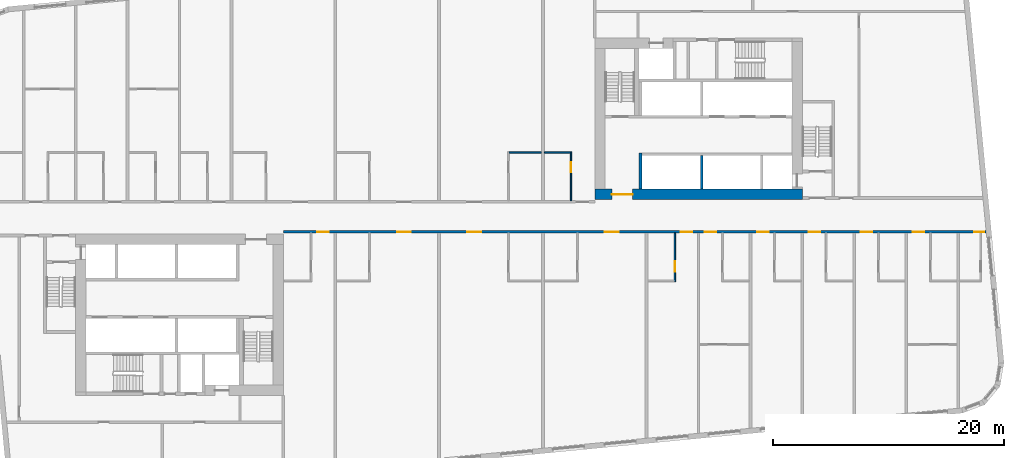
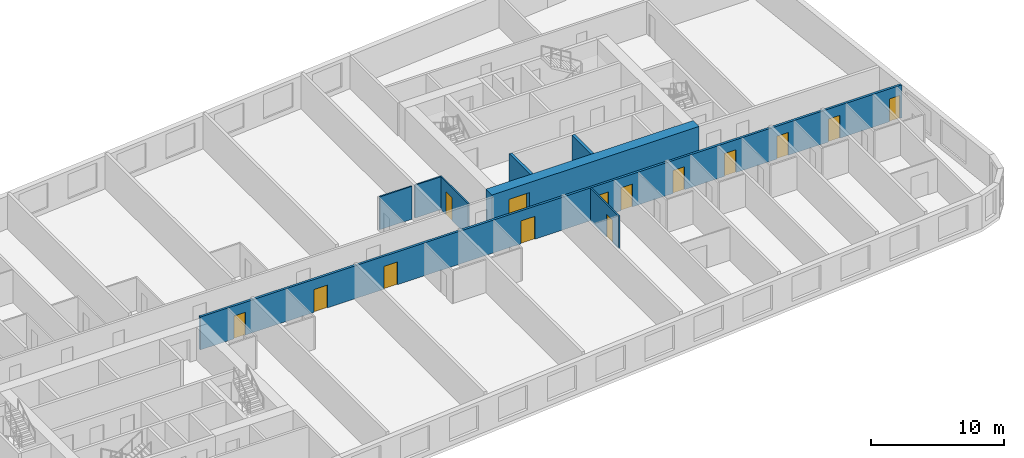
# One storey, part 5 of 12: 14 doors, 8 walls, 14 openings.
"""IFC4 building model written with IfcOpenShell, lengths in metres."""

from ifc_helpers import new_model, si_unit, direction, frame, frame_2d, origin, place, context, subcontext, project, spatial, rectangle, extrude, material, layer, layer_set, type_object, element, fill, save


model = new_model("IFC4")

# Units and contexts
model_context = context("Model", 3, precision=1e-05, world=origin(), true_north=direction((0.0, 1.0)))
body_context = subcontext(model_context, "Body", "Model", "MODEL_VIEW")
ifc_project = project(units=[si_unit("LENGTHUNIT", "METRE"), si_unit("AREAUNIT", "SQUARE_METRE"), si_unit("VOLUMEUNIT", "CUBIC_METRE"), si_unit("PLANEANGLEUNIT", "RADIAN"), si_unit("MASSUNIT", "GRAM", prefix="KILO")], contexts=[model_context])

# Site, building, storey
site_placement = place(None, origin())
site = spatial("IfcSite", under=ifc_project, at=site_placement, CompositionType="ELEMENT")
building_placement = place(site_placement, origin())
building = spatial("IfcBuilding", under=site, at=building_placement, Name="Kajstack Hotel Tower", CompositionType="ELEMENT")
storey_placement = place(building_placement, frame((0.0, 0.0, 124.0)))
storey = spatial("IfcBuildingStorey", under=building, at=storey_placement, Name="L27", CompositionType="ELEMENT", Elevation=124.0)

# Wall, opening, door
ifc_material_1 = material(Name="Concrete C60/75", Category="concrete")
ifc_layer_1 = layer(ifc_material_1, 0.89990234375)
ifc_layer_set_1 = layer_set([ifc_layer_1], Name="Core wall 900")
wall_type_1 = type_object("IfcWallType", Name="Core wall 900", PredefinedType="SHEAR", material=ifc_layer_set_1)
wall_1_placement = place(storey_placement, frame((13.5, 1.949951171875, 0.0), z_axis=(0.0, 0.0, 1.0), x_axis=(1.0, 0.0, 0.0)))
wall_1 = element("IfcWall", 1, at=wall_1_placement, inside=storey, type_object=wall_type_1, Name="Core wall E RN", PredefinedType="SHEAR", context=body_context, shape_type="SweptSolid", body=[
    extrude(rectangle(XDim=18.0, YDim=0.89990234375, at=frame_2d((9.0, 0.0))), origin(), (0.0, 0.0, 1.0), 3.02001953125),
])
opening_1_placement = place(wall_1_placement, frame((1.47509765625, 0.0, 0.0)))
opening_1 = element("IfcOpeningElement", 2, at=opening_1_placement, cuts=wall_1, Name="Opening 27E06", PredefinedType="OPENING", context=body_context, shape_type="SweptSolid", body=[
    extrude(rectangle(XDim=1.800048828125, YDim=2.10009765625, at=frame_2d((0.89990234375, 1.050048828125))), frame((0.0, 0.4599609375, 0.0), z_axis=(0.0, -1.0, 0.0), x_axis=(1.0, 0.0, 0.0)), (0.0, 0.0, 1.0), 0.919921875),
])
ifc_material_2 = material(Name="Glazed steel frame, fire-rated glass", Category="steel")
door_type_1 = type_object("IfcDoorType", Name="Lobby double door 1800", OperationType="DOUBLE_DOOR_DOUBLE_SWING", PredefinedType="DOOR", material=ifc_material_2)
door_1_placement = place(opening_1_placement, origin())
door_1 = element("IfcDoor", 3, at=door_1_placement, inside=storey, type_object=door_type_1, Name="Door 27E06", OperationType="DOUBLE_DOOR_DOUBLE_SWING", OverallHeight=2.10009765625, OverallWidth=1.800048828125, PredefinedType="DOOR", context=body_context, shape_type="SweptSolid", body=[
    extrude(rectangle(XDim=1.800048828125, YDim=2.10009765625, at=frame_2d((0.89990234375, 1.050048828125))), frame((0.0, 0.02490234375, 0.0), z_axis=(0.0, -1.0, 0.0), x_axis=(1.0, 0.0, 0.0)), (0.0, 0.0, 1.0), 0.050048828125),
])
fill(opening_1, door_1)

# Wall, openings, doors
ifc_material_3 = material(Name="Gypsum board on steel studs, mineral wool", Category="steel")
ifc_layer_2 = layer(ifc_material_3, 0.199951171875)
ifc_layer_set_2 = layer_set([ifc_layer_2], Name="Corridor wall 200")
wall_type_2 = type_object("IfcWallType", Name="Corridor wall 200", PredefinedType="PARTITIONING", material=ifc_layer_set_2)
wall_2_placement = place(storey_placement, frame((-13.5, -1.300048828125, 0.0), z_axis=(0.0, 0.0, 1.0), x_axis=(1.0, 0.0, 0.0)))
wall_2 = element("IfcWall", 4, at=wall_2_placement, inside=storey, type_object=wall_type_2, Name="G-wall-L27-026", PredefinedType="PARTITIONING", context=body_context, shape_type="SweptSolid", body=[
    extrude(rectangle(XDim=60.931884765625, YDim=0.199951171875, at=frame_2d((30.4658203125, 0.0))), origin(), (0.0, 0.0, 1.0), 3.02001953125),
])
opening_2_placement = place(wall_2_placement, frame((2.925048828125, 0.0, 0.0)))
opening_2 = element("IfcOpeningElement", 5, at=opening_2_placement, cuts=wall_2, Name="Opening 27021", PredefinedType="OPENING", context=body_context, shape_type="SweptSolid", body=[
    extrude(rectangle(XDim=1.0, YDim=2.10009765625, at=frame_2d((0.5, 1.050048828125))), frame((0.0, 0.10986328125, 0.0), z_axis=(0.0, -1.0, 0.0), x_axis=(1.0, 0.0, 0.0)), (0.0, 0.0, 1.0), 0.219970703125),
])
opening_3_placement = place(wall_2_placement, frame((9.863037109375, 0.0, 0.0)))
opening_3 = element("IfcOpeningElement", 6, at=opening_3_placement, cuts=wall_2, Name="Opening 27023", PredefinedType="OPENING", context=body_context, shape_type="SweptSolid", body=[
    extrude(rectangle(XDim=1.199951171875, YDim=2.10009765625, at=frame_2d((0.60009765625, 1.050048828125))), frame((0.0, 0.10986328125, 0.0), z_axis=(0.0, -1.0, 0.0), x_axis=(1.0, 0.0, 0.0)), (0.0, 0.0, 1.0), 0.219970703125),
])
opening_4_placement = place(wall_2_placement, frame((15.93798828125, 0.0, 0.0)))
opening_4 = element("IfcOpeningElement", 7, at=opening_4_placement, cuts=wall_2, Name="Opening 27025", PredefinedType="OPENING", context=body_context, shape_type="SweptSolid", body=[
    extrude(rectangle(XDim=1.199951171875, YDim=2.10009765625, at=frame_2d((0.60009765625, 1.050048828125))), frame((0.0, 0.10986328125, 0.0), z_axis=(0.0, -1.0, 0.0), x_axis=(1.0, 0.0, 0.0)), (0.0, 0.0, 1.0), 0.219970703125),
])
opening_5_placement = place(wall_2_placement, frame((27.862060546875, 0.0, 0.0)))
opening_5 = element("IfcOpeningElement", 8, at=opening_5_placement, cuts=wall_2, Name="Opening 27027", PredefinedType="OPENING", context=body_context, shape_type="SweptSolid", body=[
    extrude(rectangle(XDim=1.199951171875, YDim=2.10009765625, at=frame_2d((0.60009765625, 1.050048828125))), frame((0.0, 0.10986328125, 0.0), z_axis=(0.0, -1.0, 0.0), x_axis=(1.0, 0.0, 0.0)), (0.0, 0.0, 1.0), 0.219970703125),
])
opening_6_placement = place(wall_2_placement, frame((34.449951171875, 0.0, 0.0)))
opening_6 = element("IfcOpeningElement", 9, at=opening_6_placement, cuts=wall_2, Name="Opening 27029", PredefinedType="OPENING", context=body_context, shape_type="SweptSolid", body=[
    extrude(rectangle(XDim=1.0, YDim=2.10009765625, at=frame_2d((0.5, 1.050048828125))), frame((0.0, 0.10986328125, 0.0), z_axis=(0.0, -1.0, 0.0), x_axis=(1.0, 0.0, 0.0)), (0.0, 0.0, 1.0), 0.219970703125),
])
opening_7_placement = place(wall_2_placement, frame((36.550048828125, 0.0, 0.0)))
opening_7 = element("IfcOpeningElement", 10, at=opening_7_placement, cuts=wall_2, Name="Opening 27031", PredefinedType="OPENING", context=body_context, shape_type="SweptSolid", body=[
    extrude(rectangle(XDim=1.0, YDim=2.10009765625, at=frame_2d((0.5, 1.050048828125))), frame((0.0, 0.10986328125, 0.0), z_axis=(0.0, -1.0, 0.0), x_axis=(1.0, 0.0, 0.0)), (0.0, 0.0, 1.0), 0.219970703125),
])
opening_8_placement = place(wall_2_placement, frame((41.074951171875, 0.0, 0.0)))
opening_8 = element("IfcOpeningElement", 11, at=opening_8_placement, cuts=wall_2, Name="Opening 27034", PredefinedType="OPENING", context=body_context, shape_type="SweptSolid", body=[
    extrude(rectangle(XDim=1.0, YDim=2.10009765625, at=frame_2d((0.5, 1.050048828125))), frame((0.0, 0.10986328125, 0.0), z_axis=(0.0, -1.0, 0.0), x_axis=(1.0, 0.0, 0.0)), (0.0, 0.0, 1.0), 0.219970703125),
])
opening_9_placement = place(wall_2_placement, frame((45.550048828125, 0.0, 0.0)))
opening_9 = element("IfcOpeningElement", 12, at=opening_9_placement, cuts=wall_2, Name="Opening 27036", PredefinedType="OPENING", context=body_context, shape_type="SweptSolid", body=[
    extrude(rectangle(XDim=1.0, YDim=2.10009765625, at=frame_2d((0.5, 1.050048828125))), frame((0.0, 0.10986328125, 0.0), z_axis=(0.0, -1.0, 0.0), x_axis=(1.0, 0.0, 0.0)), (0.0, 0.0, 1.0), 0.219970703125),
])
opening_10_placement = place(wall_2_placement, frame((50.074951171875, 0.0, 0.0)))
opening_10 = element("IfcOpeningElement", 13, at=opening_10_placement, cuts=wall_2, Name="Opening 27038", PredefinedType="OPENING", context=body_context, shape_type="SweptSolid", body=[
    extrude(rectangle(XDim=1.0, YDim=2.10009765625, at=frame_2d((0.5, 1.050048828125))), frame((0.0, 0.10986328125, 0.0), z_axis=(0.0, -1.0, 0.0), x_axis=(1.0, 0.0, 0.0)), (0.0, 0.0, 1.0), 0.219970703125),
])
opening_11_placement = place(wall_2_placement, frame((54.574951171875, 0.0, 0.0)))
opening_11 = element("IfcOpeningElement", 14, at=opening_11_placement, cuts=wall_2, Name="Opening 27040", PredefinedType="OPENING", context=body_context, shape_type="SweptSolid", body=[
    extrude(rectangle(XDim=1.0, YDim=2.10009765625, at=frame_2d((0.5, 1.050048828125))), frame((0.0, 0.10986328125, 0.0), z_axis=(0.0, -1.0, 0.0), x_axis=(1.0, 0.0, 0.0)), (0.0, 0.0, 1.0), 0.219970703125),
])
opening_12_placement = place(wall_2_placement, frame((59.882080078125, 0.0, 0.0)))
opening_12 = element("IfcOpeningElement", 15, at=opening_12_placement, cuts=wall_2, Name="Opening 27043", PredefinedType="OPENING", context=body_context, shape_type="SweptSolid", body=[
    extrude(rectangle(XDim=0.89990234375, YDim=2.10009765625, at=frame_2d((0.449951171875, 1.050048828125))), frame((0.0, 0.10986328125, 0.0), z_axis=(0.0, -1.0, 0.0), x_axis=(1.0, 0.0, 0.0)), (0.0, 0.0, 1.0), 0.219970703125),
])
ifc_material_4 = material(Name="Oak veneer on timber core, fire-rated leaf", Category="wood")
door_type_2 = type_object("IfcDoorType", Name="Flat entrance door 1000", OperationType="SINGLE_SWING_LEFT", PredefinedType="DOOR", material=ifc_material_4)
door_2_placement = place(opening_2_placement, origin())
door_2 = element("IfcDoor", 16, at=door_2_placement, inside=storey, type_object=door_type_2, Name="G-door-L27-21", OperationType="SINGLE_SWING_LEFT", OverallHeight=2.10009765625, OverallWidth=1.0, PredefinedType="DOOR", context=body_context, shape_type="SweptSolid", body=[
    extrude(rectangle(XDim=1.0, YDim=2.10009765625, at=frame_2d((0.5, 1.050048828125))), frame((0.0, 0.02490234375, 0.0), z_axis=(0.0, -1.0, 0.0), x_axis=(1.0, 0.0, 0.0)), (0.0, 0.0, 1.0), 0.050048828125),
])
fill(opening_2, door_2)
door_3_placement = place(opening_6_placement, origin())
door_3 = element("IfcDoor", 17, at=door_3_placement, inside=storey, type_object=door_type_2, Name="G-door-L27-29", OperationType="SINGLE_SWING_LEFT", OverallHeight=2.10009765625, OverallWidth=1.0, PredefinedType="DOOR", context=body_context, shape_type="SweptSolid", body=[
    extrude(rectangle(XDim=1.0, YDim=2.10009765625, at=frame_2d((0.5, 1.050048828125))), frame((0.0, 0.02490234375, 0.0), z_axis=(0.0, -1.0, 0.0), x_axis=(1.0, 0.0, 0.0)), (0.0, 0.0, 1.0), 0.050048828125),
])
fill(opening_6, door_3)
door_4_placement = place(opening_7_placement, origin())
door_4 = element("IfcDoor", 18, at=door_4_placement, inside=storey, type_object=door_type_2, Name="G-door-L27-31", OperationType="SINGLE_SWING_LEFT", OverallHeight=2.10009765625, OverallWidth=1.0, PredefinedType="DOOR", context=body_context, shape_type="SweptSolid", body=[
    extrude(rectangle(XDim=1.0, YDim=2.10009765625, at=frame_2d((0.5, 1.050048828125))), frame((0.0, 0.02490234375, 0.0), z_axis=(0.0, -1.0, 0.0), x_axis=(1.0, 0.0, 0.0)), (0.0, 0.0, 1.0), 0.050048828125),
])
fill(opening_7, door_4)
door_5_placement = place(opening_8_placement, origin())
door_5 = element("IfcDoor", 19, at=door_5_placement, inside=storey, type_object=door_type_2, Name="G-door-L27-34", OperationType="SINGLE_SWING_RIGHT", OverallHeight=2.10009765625, OverallWidth=1.0, PredefinedType="DOOR", context=body_context, shape_type="SweptSolid", body=[
    extrude(rectangle(XDim=1.0, YDim=2.10009765625, at=frame_2d((0.5, 1.050048828125))), frame((0.0, 0.02490234375, 0.0), z_axis=(0.0, -1.0, 0.0), x_axis=(1.0, 0.0, 0.0)), (0.0, 0.0, 1.0), 0.050048828125),
])
fill(opening_8, door_5)
door_6_placement = place(opening_9_placement, origin())
door_6 = element("IfcDoor", 20, at=door_6_placement, inside=storey, type_object=door_type_2, Name="G-door-L27-36", OperationType="SINGLE_SWING_LEFT", OverallHeight=2.10009765625, OverallWidth=1.0, PredefinedType="DOOR", context=body_context, shape_type="SweptSolid", body=[
    extrude(rectangle(XDim=1.0, YDim=2.10009765625, at=frame_2d((0.5, 1.050048828125))), frame((0.0, 0.02490234375, 0.0), z_axis=(0.0, -1.0, 0.0), x_axis=(1.0, 0.0, 0.0)), (0.0, 0.0, 1.0), 0.050048828125),
])
fill(opening_9, door_6)
door_7_placement = place(opening_10_placement, origin())
door_7 = element("IfcDoor", 21, at=door_7_placement, inside=storey, type_object=door_type_2, Name="G-door-L27-38", OperationType="SINGLE_SWING_LEFT", OverallHeight=2.10009765625, OverallWidth=1.0, PredefinedType="DOOR", context=body_context, shape_type="SweptSolid", body=[
    extrude(rectangle(XDim=1.0, YDim=2.10009765625, at=frame_2d((0.5, 1.050048828125))), frame((0.0, 0.02490234375, 0.0), z_axis=(0.0, -1.0, 0.0), x_axis=(1.0, 0.0, 0.0)), (0.0, 0.0, 1.0), 0.050048828125),
])
fill(opening_10, door_7)
door_8_placement = place(opening_11_placement, origin())
door_8 = element("IfcDoor", 22, at=door_8_placement, inside=storey, type_object=door_type_2, Name="G-door-L27-40", OperationType="SINGLE_SWING_RIGHT", OverallHeight=2.10009765625, OverallWidth=1.0, PredefinedType="DOOR", context=body_context, shape_type="SweptSolid", body=[
    extrude(rectangle(XDim=1.0, YDim=2.10009765625, at=frame_2d((0.5, 1.050048828125))), frame((0.0, 0.02490234375, 0.0), z_axis=(0.0, -1.0, 0.0), x_axis=(1.0, 0.0, 0.0)), (0.0, 0.0, 1.0), 0.050048828125),
])
fill(opening_11, door_8)
door_type_3 = type_object("IfcDoorType", Name="Flat entrance door 1200", OperationType="SINGLE_SWING_LEFT", PredefinedType="DOOR", material=ifc_material_4)
door_9_placement = place(opening_3_placement, origin())
door_9 = element("IfcDoor", 23, at=door_9_placement, inside=storey, type_object=door_type_3, Name="G-door-L27-23", OperationType="SINGLE_SWING_LEFT", OverallHeight=2.10009765625, OverallWidth=1.199951171875, PredefinedType="DOOR", context=body_context, shape_type="SweptSolid", body=[
    extrude(rectangle(XDim=1.199951171875, YDim=2.10009765625, at=frame_2d((0.60009765625, 1.050048828125))), frame((0.0, 0.02490234375, 0.0), z_axis=(0.0, -1.0, 0.0), x_axis=(1.0, 0.0, 0.0)), (0.0, 0.0, 1.0), 0.050048828125),
])
fill(opening_3, door_9)
door_10_placement = place(opening_4_placement, origin())
door_10 = element("IfcDoor", 24, at=door_10_placement, inside=storey, type_object=door_type_3, Name="G-door-L27-25", OperationType="SINGLE_SWING_RIGHT", OverallHeight=2.10009765625, OverallWidth=1.199951171875, PredefinedType="DOOR", context=body_context, shape_type="SweptSolid", body=[
    extrude(rectangle(XDim=1.199951171875, YDim=2.10009765625, at=frame_2d((0.60009765625, 1.050048828125))), frame((0.0, 0.02490234375, 0.0), z_axis=(0.0, -1.0, 0.0), x_axis=(1.0, 0.0, 0.0)), (0.0, 0.0, 1.0), 0.050048828125),
])
fill(opening_4, door_10)
door_11_placement = place(opening_5_placement, origin())
door_11 = element("IfcDoor", 25, at=door_11_placement, inside=storey, type_object=door_type_3, Name="G-door-L27-27", OperationType="SINGLE_SWING_LEFT", OverallHeight=2.10009765625, OverallWidth=1.199951171875, PredefinedType="DOOR", context=body_context, shape_type="SweptSolid", body=[
    extrude(rectangle(XDim=1.199951171875, YDim=2.10009765625, at=frame_2d((0.60009765625, 1.050048828125))), frame((0.0, 0.02490234375, 0.0), z_axis=(0.0, -1.0, 0.0), x_axis=(1.0, 0.0, 0.0)), (0.0, 0.0, 1.0), 0.050048828125),
])
fill(opening_5, door_11)
ifc_material_5 = material(Name="Painted timber door leaf", Category="wood")
door_type_4 = type_object("IfcDoorType", Name="Room door 900", OperationType="SINGLE_SWING_LEFT", PredefinedType="DOOR", material=ifc_material_5)
door_12_placement = place(opening_12_placement, origin())
door_12 = element("IfcDoor", 26, at=door_12_placement, inside=storey, type_object=door_type_4, Name="G-door-L27-43", OperationType="SINGLE_SWING_LEFT", OverallHeight=2.10009765625, OverallWidth=0.89990234375, PredefinedType="DOOR", context=body_context, shape_type="SweptSolid", body=[
    extrude(rectangle(XDim=0.89990234375, YDim=2.10009765625, at=frame_2d((0.449951171875, 1.050048828125))), frame((0.0, 0.02490234375, 0.0), z_axis=(0.0, -1.0, 0.0), x_axis=(1.0, 0.0, 0.0)), (0.0, 0.0, 1.0), 0.050048828125),
])
fill(opening_12, door_12)

# Wall
ifc_material_6 = material(Name="Gypsum board and tiled backer on steel studs", Category="steel")
ifc_layer_3 = layer(ifc_material_6, 0.125)
ifc_layer_set_3 = layer_set([ifc_layer_3], Name="En-suite wall 125")
wall_type_3 = type_object("IfcWallType", Name="En-suite wall 125", PredefinedType="PARTITIONING", material=ifc_layer_set_3)
wall_3_placement = place(storey_placement, frame((6.074951171875, 5.56201171875, 0.0), z_axis=(0.0, 0.0, 1.0), x_axis=(1.0, 0.0, 0.0)))
element("IfcWall", 27, at=wall_3_placement, inside=storey, type_object=wall_type_3, Name="G-wall-L27-023", PredefinedType="PARTITIONING", context=body_context, shape_type="SweptSolid", body=[
    extrude(rectangle(XDim=2.800048828125, YDim=0.125, at=frame_2d((1.39990234375, 0.0))), origin(), (0.0, 0.0, 1.0), 3.02001953125),
])

# Wall, opening, door
wall_4_placement = place(storey_placement, frame((11.43798828125, 1.39990234375, 0.0), z_axis=(0.0, 0.0, 1.0), x_axis=(0.0, 1.0, 0.0)))
wall_4 = element("IfcWall", 28, at=wall_4_placement, inside=storey, type_object=wall_type_3, Name="G-wall-L27-024", PredefinedType="PARTITIONING", context=body_context, shape_type="SweptSolid", body=[
    extrude(rectangle(XDim=4.22509765625, YDim=0.125, at=frame_2d((2.112548828125, 0.0))), origin(), (0.0, 0.0, 1.0), 3.02001953125),
])
opening_13_placement = place(wall_4_placement, frame((2.449951171875, 0.0, 0.0)))
opening_13 = element("IfcOpeningElement", 29, at=opening_13_placement, cuts=wall_4, Name="Opening 27020", PredefinedType="OPENING", context=body_context, shape_type="SweptSolid", body=[
    extrude(rectangle(XDim=0.89990234375, YDim=2.10009765625, at=frame_2d((0.449951171875, 1.050048828125))), frame((0.0, 0.072509765625, 0.0), z_axis=(0.0, -1.0, 0.0), x_axis=(1.0, 0.0, 0.0)), (0.0, 0.0, 1.0), 0.14501953125),
])
door_13_placement = place(opening_13_placement, origin())
door_13 = element("IfcDoor", 30, at=door_13_placement, inside=storey, type_object=door_type_4, Name="G-door-L27-20", OperationType="SINGLE_SWING_LEFT", OverallHeight=2.10009765625, OverallWidth=0.89990234375, PredefinedType="DOOR", context=body_context, shape_type="SweptSolid", body=[
    extrude(rectangle(XDim=0.89990234375, YDim=2.10009765625, at=frame_2d((0.449951171875, 1.050048828125))), frame((0.0, 0.02490234375, 0.0), z_axis=(0.0, -1.0, 0.0), x_axis=(1.0, 0.0, 0.0)), (0.0, 0.0, 1.0), 0.050048828125),
])
fill(opening_13, door_13)

# Wall
wall_5_placement = place(storey_placement, frame((9.125, 5.56201171875, 0.0), z_axis=(0.0, 0.0, 1.0), x_axis=(1.0, 0.0, 0.0)))
element("IfcWall", 31, at=wall_5_placement, inside=storey, type_object=wall_type_3, Name="G-wall-L27-025", PredefinedType="PARTITIONING", context=body_context, shape_type="SweptSolid", body=[
    extrude(rectangle(XDim=2.25, YDim=0.125, at=frame_2d((1.125, 0.0))), origin(), (0.0, 0.0, 1.0), 3.02001953125),
])

# Wall, opening, door
wall_6_placement = place(storey_placement, frame((20.43798828125, -5.625, 0.0), z_axis=(0.0, 0.0, 1.0), x_axis=(0.0, 1.0, 0.0)))
wall_6 = element("IfcWall", 32, at=wall_6_placement, inside=storey, type_object=wall_type_3, Name="G-wall-L27-036", PredefinedType="PARTITIONING", context=body_context, shape_type="SweptSolid", body=[
    extrude(rectangle(XDim=4.22509765625, YDim=0.125, at=frame_2d((2.112548828125, 0.0))), origin(), (0.0, 0.0, 1.0), 3.02001953125),
])
opening_14_placement = place(wall_6_placement, frame((0.875, 0.0, 0.0)))
opening_14 = element("IfcOpeningElement", 33, at=opening_14_placement, cuts=wall_6, Name="Opening 27030", PredefinedType="OPENING", context=body_context, shape_type="SweptSolid", body=[
    extrude(rectangle(XDim=0.89990234375, YDim=2.10009765625, at=frame_2d((0.449951171875, 1.050048828125))), frame((0.0, 0.072509765625, 0.0), z_axis=(0.0, -1.0, 0.0), x_axis=(1.0, 0.0, 0.0)), (0.0, 0.0, 1.0), 0.14501953125),
])
door_14_placement = place(opening_14_placement, origin())
door_14 = element("IfcDoor", 34, at=door_14_placement, inside=storey, type_object=door_type_4, Name="G-door-L27-30", OperationType="SINGLE_SWING_RIGHT", OverallHeight=2.10009765625, OverallWidth=0.89990234375, PredefinedType="DOOR", context=body_context, shape_type="SweptSolid", body=[
    extrude(rectangle(XDim=0.89990234375, YDim=2.10009765625, at=frame_2d((0.449951171875, 1.050048828125))), frame((0.0, 0.02490234375, 0.0), z_axis=(0.0, -1.0, 0.0), x_axis=(1.0, 0.0, 0.0)), (0.0, 0.0, 1.0), 0.050048828125),
])
fill(opening_14, door_14)

# Walls
ifc_material_7 = material(Name="Concrete C50/60", Category="concrete")
ifc_layer_4 = layer(ifc_material_7, 0.300048828125)
ifc_layer_set_4 = layer_set([ifc_layer_4], Name="Hoistway divider wall 300")
wall_type_4 = type_object("IfcWallType", Name="Hoistway divider wall 300", PredefinedType="SHEAR", material=ifc_layer_set_4)
wall_7_placement = place(storey_placement, frame((22.77490234375, 2.39990234375, 0.0), z_axis=(0.0, 0.0, 1.0), x_axis=(0.0, 1.0, 0.0)))
element("IfcWall", 35, at=wall_7_placement, inside=storey, type_object=wall_type_4, Name="Core wall E AP2", PredefinedType="SHEAR", context=body_context, shape_type="SweptSolid", body=[
    extrude(rectangle(XDim=2.900146484375, YDim=0.25, at=frame_2d((1.4501953125, 0.0))), origin(), (0.0, 0.0, 1.0), 3.02001953125),
])
ifc_layer_5 = layer(ifc_material_7, 0.25)
ifc_layer_set_5 = layer_set([ifc_layer_5], Name="Shaft wall 250")
wall_type_5 = type_object("IfcWallType", Name="Shaft wall 250", PredefinedType="SHEAR", material=ifc_layer_set_5)
wall_8_placement = place(storey_placement, frame((17.47509765625, 2.39990234375, 0.0), z_axis=(0.0, 0.0, 1.0), x_axis=(0.0, 1.0, 0.0)))
element("IfcWall", 36, at=wall_8_placement, inside=storey, type_object=wall_type_5, Name="Core wall E AE", PredefinedType="SHEAR", context=body_context, shape_type="SweptSolid", body=[
    extrude(rectangle(XDim=3.150146484375, YDim=0.25, at=frame_2d((1.5751953125, 0.0))), origin(), (0.0, 0.0, 1.0), 3.02001953125),
])

save(model, "model.ifc")
